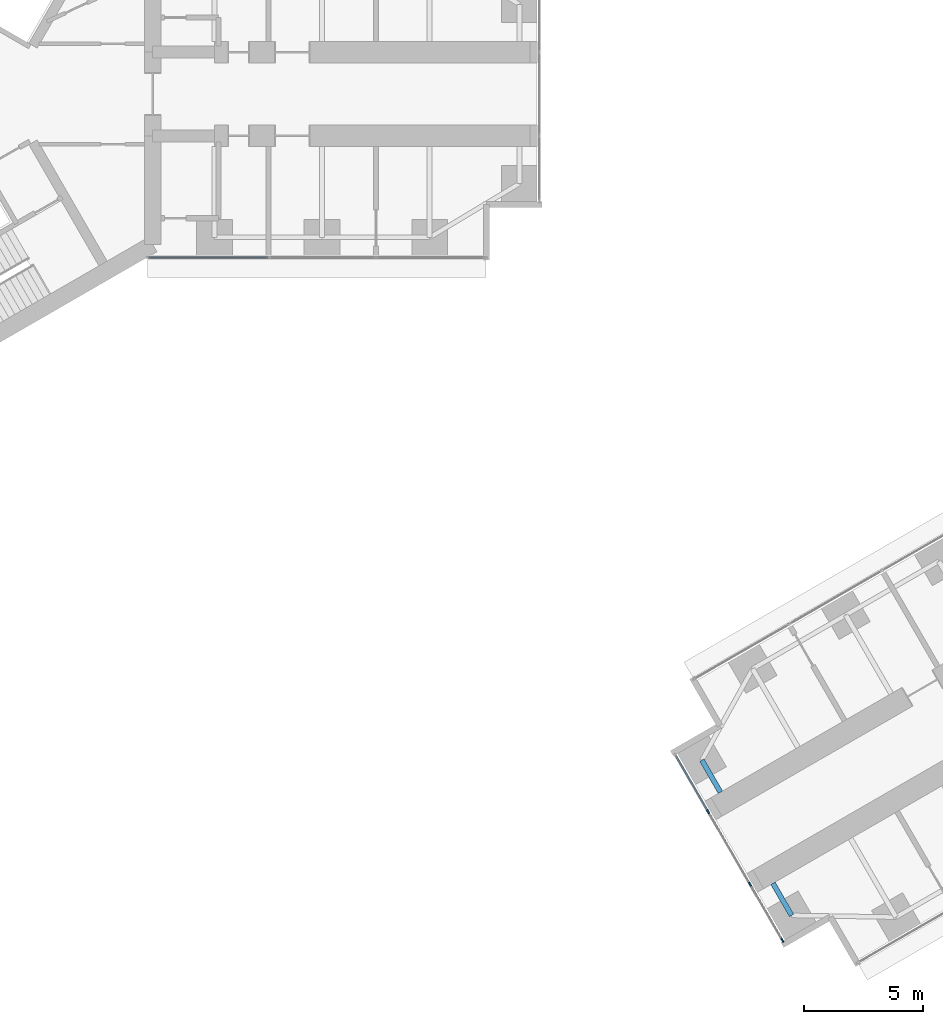
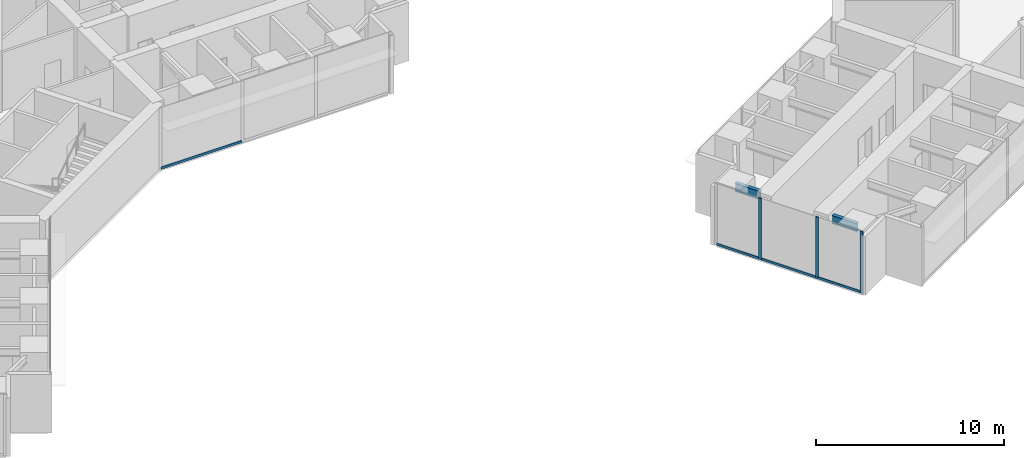
# One storey, part 3 of 22: 7 members, 2 beams, 2 elements without a shape of their own.
"""IFC4 building model written with IfcOpenShell, lengths in metres."""

from ifc_helpers import new_model, si_unit, direction, frame, origin, origin_2d, place, context, subcontext, project, spatial, rectangle, i_section, extrude, material, material_profile, profile_set, type_object, element, aggregate, save


model = new_model("IFC4")

# Units and contexts
model_context = context("Model", 3, precision=1e-05, world=origin(), true_north=direction((0.0, 1.0)))
body_context = subcontext(model_context, "Body", "Model", "MODEL_VIEW")
ifc_project = project(units=[si_unit("LENGTHUNIT", "METRE"), si_unit("AREAUNIT", "SQUARE_METRE"), si_unit("VOLUMEUNIT", "CUBIC_METRE"), si_unit("PLANEANGLEUNIT", "RADIAN"), si_unit("MASSUNIT", "GRAM", prefix="KILO")], contexts=[model_context])

# Site, building, storey
site_placement = place(None, origin())
site = spatial("IfcSite", under=ifc_project, at=site_placement, CompositionType="ELEMENT")
building_placement = place(site_placement, origin())
building = spatial("IfcBuilding", under=site, at=building_placement, Name="Upepo Twin Towers", CompositionType="ELEMENT")
storey_placement = place(building_placement, frame((0.0, 0.0, 36.5)))
storey = spatial("IfcBuildingStorey", under=building, at=storey_placement, Name="L08", CompositionType="ELEMENT", Elevation=36.5)

# Beams
ifc_material_1 = material(Name="Steel S355", Category="steel")
ifc_material_profile_1 = material_profile(ifc_material_1, i_section(OverallWidth=0.2099609375, OverallDepth=0.53662109375, WebThickness=0.0107421875, FlangeThickness=0.017333984375, FilletRadius=0.0126953125, at=origin_2d()), Name="UB 533x210x101")
ifc_profile_set_1 = profile_set([ifc_material_profile_1], Name="Steel S355")
beam_type = type_object("IfcBeamType", Name="Beam UB 533x210x101", PredefinedType="BEAM", material=ifc_profile_set_1)
for number, where, z_axis, x_axis, name in (
    (1, (37.641845703125, -34.37255859375, 3.53173828125), (-0.499967891604, 0.866043940782, 0.0), (-0.866043940782, -0.499967891604, 0.0), "T2 nose beam BL"),
    (2, (33.891845703125, -27.87744140625, 3.53173828125), (0.499967891604, -0.866043940782, 0.0), (0.866043940782, 0.499967891604, 0.0), "T2 nose beam BR"),
):
    element("IfcBeam", number, at=place(storey_placement, frame(where, z_axis=z_axis, x_axis=x_axis)), inside=storey, type_object=beam_type, Name=name, PredefinedType="BEAM", context=body_context, shape_type="SweptSolid", body=[
        extrude(i_section(OverallWidth=0.2099609375, OverallDepth=0.53662109375, WebThickness=0.0107421875, FlangeThickness=0.017333984375, FilletRadius=0.0126953125, at=origin_2d()), origin(), (0.0, 0.0, 1.0), 1.5498046875),
    ])

# Curtain wall, members
ifc_material_2 = material(Name="Aluminium and fritted glass", Category="aluminium")
curtain_wall_type = type_object("IfcCurtainWallType", Name="Tower curtain wall TW1, fritted glass", PredefinedType="NOTDEFINED", material=ifc_material_2)
curtain_wall_1_placement = place(storey_placement, origin())
curtain_wall_1 = element("IfcCurtainWall", 3, at=curtain_wall_1_placement, inside=storey, type_object=curtain_wall_type, Name="T2 L08 wing B nose curtain wall", PredefinedType="NOTDEFINED")
ifc_material_3 = material(Name="Aluminium mullion", Category="aluminium")
ifc_material_profile_2 = material_profile(ifc_material_3, rectangle(XDim=0.06494140625, YDim=0.179931640625, at=origin_2d()), Name="MULLION 65x180")
ifc_profile_set_2 = profile_set([ifc_material_profile_2], Name="Aluminium mullion")
member_type_1 = type_object("IfcMemberType", Name="Mullion 65x180 TW1", PredefinedType="MULLION", material=ifc_profile_set_2)
member_1_placement = place(storey_placement, frame((34.15576171875, -30.034423828125, 0.0), z_axis=(0.0, 0.0, 1.0), x_axis=(0.866025386174, 0.500000030502, 0.0)))
member_1 = element("IfcMember", 4, at=member_1_placement, type_object=member_type_1, Name="T2 L08 wing B nose curtain wall mullion 2", PredefinedType="MULLION", context=body_context, shape_type="SweptSolid", body=[
    extrude(rectangle(XDim=0.06494140625, YDim=0.179931640625, at=origin_2d()), origin(), (0.0, 0.0, 1.0), 4.0),
])
member_2_placement = place(storey_placement, frame((35.90576171875, -33.0654296875, 0.0), z_axis=(0.0, 0.0, 1.0), x_axis=(0.866025386174, 0.500000030502, 0.0)))
member_2 = element("IfcMember", 5, at=member_2_placement, type_object=member_type_1, Name="T2 L08 wing B nose curtain wall mullion 3", PredefinedType="MULLION", context=body_context, shape_type="SweptSolid", body=[
    extrude(rectangle(XDim=0.06494140625, YDim=0.179931640625, at=origin_2d()), origin(), (0.0, 0.0, 1.0), 4.0),
])
member_3_placement = place(storey_placement, frame((37.264404296875, -35.4189453125, 0.0), z_axis=(0.0, 0.0, 1.0), x_axis=(0.866025386174, 0.500000030502, 0.0)))
member_3 = element("IfcMember", 6, at=member_3_placement, type_object=member_type_1, Name="T2 L08 wing B nose curtain wall mullion 4", PredefinedType="MULLION", context=body_context, shape_type="SweptSolid", body=[
    extrude(rectangle(XDim=0.06494140625, YDim=0.179931640625, at=origin_2d()), origin(), (0.0, 0.0, 1.0), 4.0),
])

# Curtain wall, member
curtain_wall_2_placement = place(storey_placement, origin())
curtain_wall_2 = element("IfcCurtainWall", 7, at=curtain_wall_2_placement, inside=storey, type_object=curtain_wall_type, Name="T1 L08 wing A flank R curtain wall", PredefinedType="NOTDEFINED")
ifc_material_4 = material(Name="Aluminium transom", Category="aluminium")
ifc_material_profile_3 = material_profile(ifc_material_4, rectangle(XDim=0.06494140625, YDim=0.14990234375, at=origin_2d()), Name="TRANSOM 65x150")
ifc_profile_set_3 = profile_set([ifc_material_profile_3], Name="Aluminium transom")
member_type_2 = type_object("IfcMemberType", Name="Transom 65x150 TW1", PredefinedType="USERDEFINED", material=ifc_profile_set_3)
member_4_placement = place(storey_placement, frame((15.717529296875, -6.85009765625, 0.074951171875), z_axis=(-1.0, 0.0, 0.0), x_axis=(0.0, -1.0, 0.0)))
member_4 = element("IfcMember", 8, at=member_4_placement, type_object=member_type_2, Name="T1 L08 wing A flank R curtain wall transom 3", ObjectType="TRANSOM", PredefinedType="USERDEFINED", context=body_context, shape_type="SweptSolid", body=[
    extrude(rectangle(XDim=0.06494140625, YDim=0.14990234375, at=origin_2d()), origin(), (0.0, 0.0, 1.0), 4.96533203125),
])
aggregate(curtain_wall_2, [member_4])

# Member
member_5_placement = place(storey_placement, frame((32.813232421875, -27.709228515625, 0.074951171875), z_axis=(0.499980071345, -0.866036909293, 0.0), x_axis=(0.866036909293, 0.499980071345, 0.0)))
member_5 = element("IfcMember", 9, at=member_5_placement, type_object=member_type_2, Name="T2 L08 wing B nose curtain wall transom 1", ObjectType="TRANSOM", PredefinedType="USERDEFINED", context=body_context, shape_type="SweptSolid", body=[
    extrude(rectangle(XDim=0.06494140625, YDim=0.14990234375, at=origin_2d()), origin(), (0.0, 0.0, 1.0), 2.65234375),
])

member_6_placement = place(storey_placement, frame((34.171875, -30.0625, 0.074951171875), z_axis=(0.499999305434, -0.866025804792, 0.0), x_axis=(0.866025804792, 0.499999305434, 0.0)))
member_6 = element("IfcMember", 10, at=member_6_placement, type_object=member_type_2, Name="T2 L08 wing B nose curtain wall transom 2", ObjectType="TRANSOM", PredefinedType="USERDEFINED", context=body_context, shape_type="SweptSolid", body=[
    extrude(rectangle(XDim=0.06494140625, YDim=0.14990234375, at=origin_2d()), origin(), (0.0, 0.0, 1.0), 3.43505859375),
])

member_7_placement = place(storey_placement, frame((35.921875, -33.09375, 0.074951171875), z_axis=(0.500049101008, -0.865997053448, 0.0), x_axis=(0.865997053448, 0.500049101008, 0.0)))
member_7 = element("IfcMember", 11, at=member_7_placement, type_object=member_type_2, Name="T2 L08 wing B nose curtain wall transom 3", ObjectType="TRANSOM", PredefinedType="USERDEFINED", context=body_context, shape_type="SweptSolid", body=[
    extrude(rectangle(XDim=0.06494140625, YDim=0.14990234375, at=origin_2d()), origin(), (0.0, 0.0, 1.0), 2.652587890625),
])

aggregate(curtain_wall_1, [member_1, member_2, member_3, member_5, member_6, member_7])

save(model, "model.ifc")
